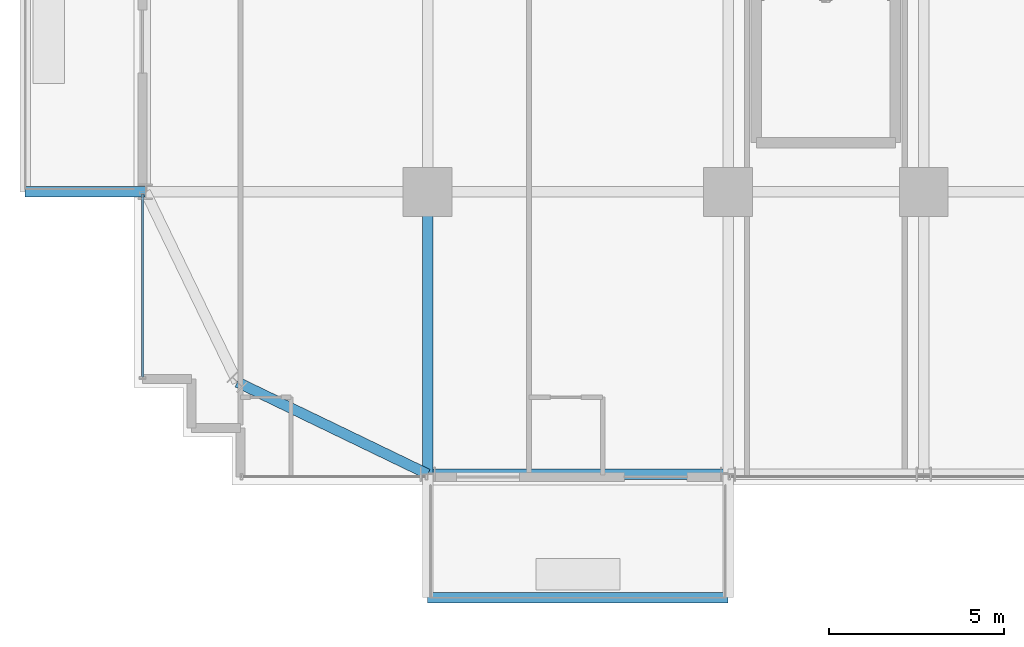
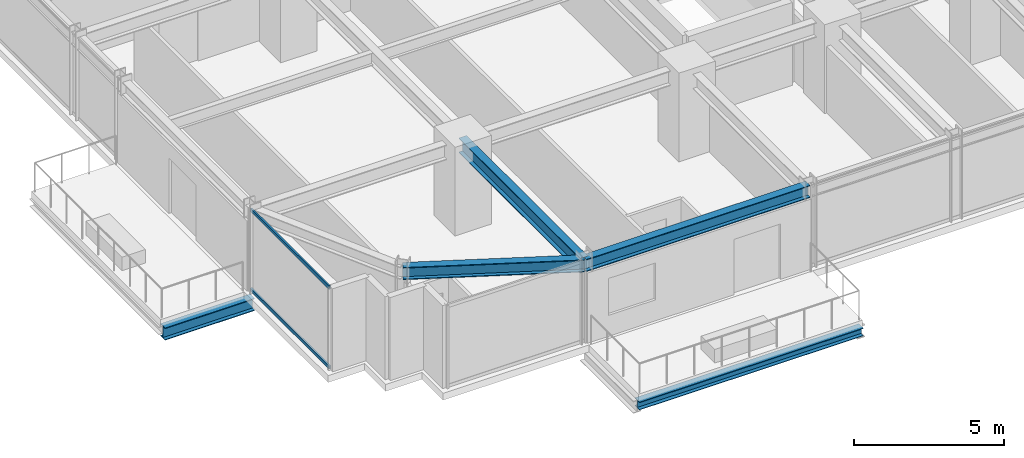
# One storey, part 4 of 37: 5 beams, 2 members, 1 element without a shape of its own.
"""IFC4 building model written with IfcOpenShell, lengths in metres."""

from ifc_helpers import new_model, si_unit, direction, frame, origin, origin_2d, place, context, subcontext, project, spatial, hollow_rectangle, i_section, extrude, source, transform, mapped, material, material_profile, profile_set, type_object, element, aggregate, save


model = new_model("IFC4")

# Units and contexts
model_context = context("Model", 3, precision=1e-05, world=origin(), true_north=direction((0.0, 1.0)))
body_context = subcontext(model_context, "Body", "Model", "MODEL_VIEW")
ifc_project = project(units=[si_unit("LENGTHUNIT", "METRE"), si_unit("AREAUNIT", "SQUARE_METRE"), si_unit("VOLUMEUNIT", "CUBIC_METRE"), si_unit("PLANEANGLEUNIT", "RADIAN"), si_unit("MASSUNIT", "GRAM", prefix="KILO")], contexts=[model_context])

# Site, building, storey
site_placement = place(None, origin())
site = spatial("IfcSite", under=ifc_project, at=site_placement, CompositionType="ELEMENT")
building_placement = place(site_placement, origin())
building = spatial("IfcBuilding", under=site, at=building_placement, Name="Nahalor Promenade Grand Hotel", CompositionType="ELEMENT")
storey_placement = place(building_placement, frame((0.0, 0.0, 36.050048828125)))
storey = spatial("IfcBuildingStorey", under=building, at=storey_placement, Name="L07", CompositionType="ELEMENT", Elevation=36.050048828125)

# Beams
ifc_material_1 = material(Name="Steel S355JR", Category="steel")
ifc_material_profile_1 = material_profile(ifc_material_1, i_section(OverallWidth=0.3, OverallDepth=0.32, WebThickness=0.0115, FlangeThickness=0.0205, at=origin_2d()), Name="HEB 320")
ifc_profile_set_1 = profile_set([ifc_material_profile_1], Name="Steel S355JR")
beam_type_1 = type_object("IfcBeamType", Name="Beam-BalcEdge-HEB320", PredefinedType="SPANDREL", material=ifc_profile_set_1)
shared_shape_1 = source(origin(), body_context, "Body", "SweptSolid", [
    extrude(i_section(OverallWidth=0.3, OverallDepth=0.32, WebThickness=0.0115, FlangeThickness=0.0205, at=origin_2d()), origin(), (0.0, 0.0, 1.0), 8.60009765625),
])
beam_1_placement = place(storey_placement, frame((-17.0, -28.6201171875, -0.43994140625), z_axis=(1.0, 0.0, 0.0), x_axis=(0.0, 1.0, 0.0)))
element("IfcBeam", 1, at=beam_1_placement, inside=storey, type_object=beam_type_1, Name="BM-L07-BC-01-F", PredefinedType="SPANDREL", context=body_context, shape_type="MappedRepresentation", body=[
    mapped(shared_shape_1, transform((0.0, 0.0, 0.0), scale=1.0)),
])
ifc_material_profile_2 = material_profile(ifc_material_1, i_section(OverallWidth=0.3, OverallDepth=0.5, WebThickness=0.0145, FlangeThickness=0.028, at=origin_2d()), Name="HEB 500")
ifc_profile_set_2 = profile_set([ifc_material_profile_2], Name="Steel S355JR")
beam_type_2 = type_object("IfcBeamType", Name="Beam-Outrigger-HEB500", PredefinedType="BEAM", material=ifc_profile_set_2)
shared_shape_2 = source(origin(), body_context, "Body", "SweptSolid", [
    extrude(i_section(OverallWidth=0.3, OverallDepth=0.5, WebThickness=0.0145, FlangeThickness=0.028, at=origin_2d()), origin(), (0.0, 0.0, 1.0), 3.43994140625),
])
beam_2_placement = place(storey_placement, frame((-28.52001953125, -17.0, -0.530029296875), z_axis=(1.0, 0.0, 0.0), x_axis=(0.0, 1.0, 0.0)))
element("IfcBeam", 2, at=beam_2_placement, inside=storey, type_object=beam_type_2, Name="BM-L07-BC-02-1", PredefinedType="BEAM", context=body_context, shape_type="MappedRepresentation", body=[
    mapped(shared_shape_2, transform((0.0, 0.0, 0.0), scale=1.0)),
])
ifc_material_profile_3 = material_profile(ifc_material_1, i_section(OverallWidth=0.3, OverallDepth=0.5, WebThickness=0.0145, FlangeThickness=0.028, at=origin_2d()), Name="HEB 500")
ifc_profile_set_3 = profile_set([ifc_material_profile_3], Name="Steel S355JR")
beam_type_3 = type_object("IfcBeamType", Name="Beam-Spandrel-HEB500", PredefinedType="SPANDREL", material=ifc_profile_set_3)
shared_shape_3 = source(origin(), body_context, "Body", "SweptSolid", [
    extrude(i_section(OverallWidth=0.3, OverallDepth=0.5, WebThickness=0.0145, FlangeThickness=0.028, at=origin_2d()), origin(), (0.0, 0.0, 1.0), 8.60009765625),
])
beam_3_placement = place(storey_placement, frame((-17.0, -25.080078125, 3.119873046875), z_axis=(1.0, 0.0, 0.0), x_axis=(0.0, 1.0, 0.0)))
element("IfcBeam", 3, at=beam_3_placement, inside=storey, type_object=beam_type_3, Name="BM-L07-SP-S-0", PredefinedType="SPANDREL", context=body_context, shape_type="MappedRepresentation", body=[
    mapped(shared_shape_3, transform((0.0, 0.0, 0.0), scale=1.0)),
])
ifc_material_profile_4 = material_profile(ifc_material_1, i_section(OverallWidth=0.3, OverallDepth=0.6, WebThickness=0.0155, FlangeThickness=0.03, at=origin_2d()), Name="HEB 600")
ifc_profile_set_4 = profile_set([ifc_material_profile_4], Name="Steel S355JR")
beam_type_4 = type_object("IfcBeamType", Name="Beam-Girder-HEB600", PredefinedType="BEAM", material=ifc_profile_set_4)
shared_shape_4 = source(origin(), body_context, "Body", "SweptSolid", [
    extrude(i_section(OverallWidth=0.3, OverallDepth=0.6, WebThickness=0.0155, FlangeThickness=0.03, at=origin_2d()), origin(), (0.0, 0.0, 1.0), 8.080078125),
])
beam_4_placement = place(storey_placement, frame((-17.0, -25.080078125, 3.070068359375), z_axis=(0.0, 1.0, 0.0), x_axis=(-1.0, 0.0, 0.0)))
element("IfcBeam", 4, at=beam_4_placement, inside=storey, type_object=beam_type_4, Name="BM-L07-GY-0-0", PredefinedType="BEAM", context=body_context, shape_type="MappedRepresentation", body=[
    mapped(shared_shape_4, transform((0.0, 0.0, 0.0), scale=1.0)),
])
shared_shape_5 = source(origin(), body_context, "Body", "SweptSolid", [
    extrude(i_section(OverallWidth=0.3, OverallDepth=0.5, WebThickness=0.0145, FlangeThickness=0.028, at=origin_2d()), origin(), (0.0, 0.0, 1.0), 6.051513671875),
])
beam_5_placement = place(storey_placement, frame((-17.0, -25.080078125, 3.119873046875), z_axis=(-0.900608818852, 0.434630596492, 0.0), x_axis=(-0.434630596492, -0.900608818852, 0.0)))
element("IfcBeam", 5, at=beam_5_placement, inside=storey, type_object=beam_type_3, Name="BM-L07-SPC-SW-1", PredefinedType="SPANDREL", context=body_context, shape_type="MappedRepresentation", body=[
    mapped(shared_shape_5, transform((0.0, 0.0, 0.0), scale=1.0)),
])

# Curtain wall, members
ifc_material_2 = material(Name="Anodised Bronze Aluminium EN AW-6063 T6", Category="aluminium")
curtain_wall_type = type_object("IfcCurtainWallType", Name="CW2 Typical Hotel Flush Bronze Unitised Curtain Wall", PredefinedType="USERDEFINED", material=ifc_material_2)
curtain_wall_placement = place(storey_placement, origin())
curtain_wall = element("IfcCurtainWall", 6, at=curtain_wall_placement, inside=storey, type_object=curtain_wall_type, Name="L07 Curtain Wall CW-L07-W-1", ObjectType="UNITISED_CURTAIN_WALL", PredefinedType="USERDEFINED")
ifc_material_profile_5 = material_profile(ifc_material_2, hollow_rectangle(XDim=0.065, YDim=0.13, WallThickness=0.004, at=origin_2d()), Name="CWT 65x130x4")
ifc_profile_set_5 = profile_set([ifc_material_profile_5], Name="Anodised Bronze Aluminium EN AW-6063 T6")
member_type = type_object("IfcMemberType", Name="CWT2 Typical Bronze Transom 65x130", PredefinedType="USERDEFINED", material=ifc_profile_set_5)
shared_shape_6 = source(origin(), body_context, "Body", "SweptSolid", [
    extrude(hollow_rectangle(XDim=0.065, YDim=0.13, WallThickness=0.004, at=origin_2d()), origin(), (0.0, 0.0, 1.0), 5.22998046875),
])
member_1_placement = place(storey_placement, frame((-25.159912109375, -22.294921875, 0.06494140625), z_axis=(0.0, 1.0, 0.0), x_axis=(-1.0, 0.0, 0.0)))
member_1 = element("IfcMember", 7, at=member_1_placement, type_object=member_type, Name="CW-L07-W-1 Transom 0-0", ObjectType="TRANSOM", PredefinedType="USERDEFINED", context=body_context, shape_type="MappedRepresentation", body=[
    mapped(shared_shape_6, transform((0.0, 0.0, 0.0), scale=1.0)),
])
member_2_placement = place(storey_placement, frame((-25.159912109375, -22.294921875, 3.304931640625), z_axis=(0.0, 1.0, 0.0), x_axis=(-1.0, 0.0, 0.0)))
member_2 = element("IfcMember", 8, at=member_2_placement, type_object=member_type, Name="CW-L07-W-1 Transom 0-1", ObjectType="TRANSOM", PredefinedType="USERDEFINED", context=body_context, shape_type="MappedRepresentation", body=[
    mapped(shared_shape_6, transform((0.0, 0.0, 0.0), scale=1.0)),
])
aggregate(curtain_wall, [member_1, member_2])

save(model, "model.ifc")
